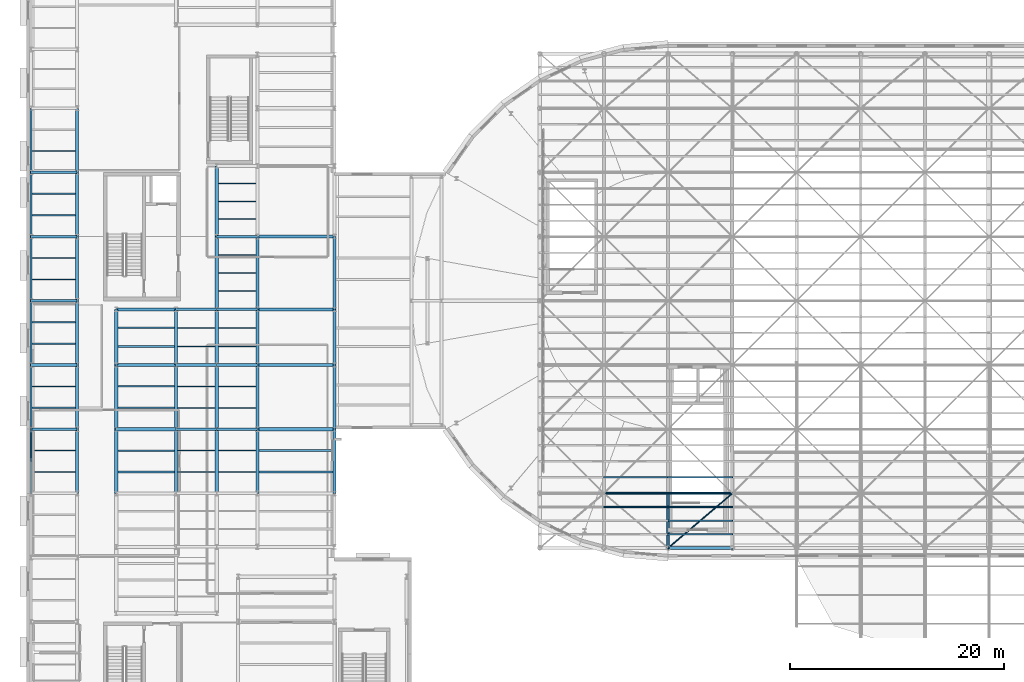
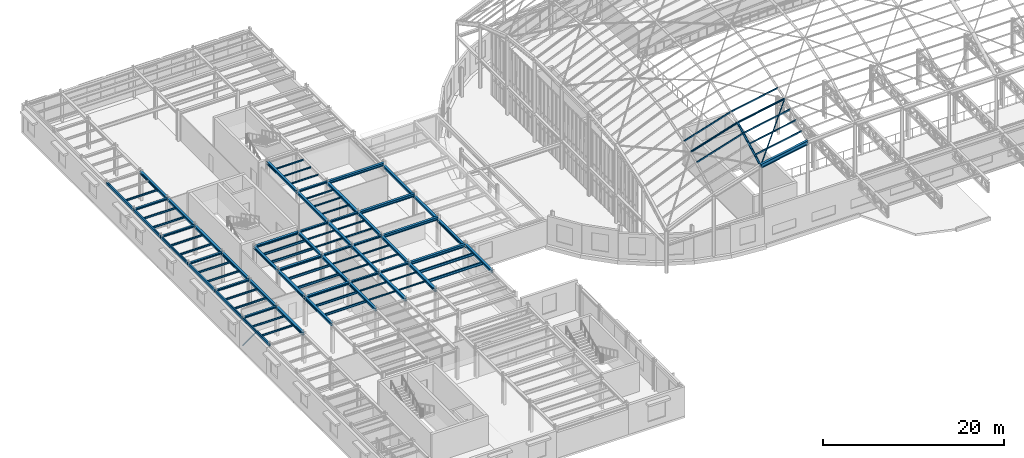
# One storey, part 17 of 75: 88 beams, 11 members.
"""IFC4 building model written with IfcOpenShell, lengths in metres."""

import ifcopenshell
import ifcopenshell.guid

model = None  # the IFC model being written
_history = None  # IfcOwnerHistory: only IFC2X3 demands one
_inside = {}  # id of a spatial element -> (the spatial element, [elements in it])
_under = {}  # id of a project, library or spatial element -> (it, [spatial elements below it])
_declared = {}  # id of a project -> (the project, [libraries it declares])
_typed = {}  # id of a type object -> (the type object, [elements of that type])
_made_of = {}  # id of a material, layer set ... -> (it, [elements and type objects made of it])


def new_model(schema):
    """Start an empty IFC model of exactly this schema.

    Asked for "IFC4X3", IfcOpenShell would pick the latest addendum, in which some entities
    have other attributes; the version numbers below select the first issue.
    IFC2X3 requires an IfcOwnerHistory on every rooted entity: one is made here for all.
    """
    global model, _history
    if schema == "IFC4X3":
        model = ifcopenshell.file(schema_version=(4, 3, 0, 0))
    else:
        model = ifcopenshell.file(schema=schema)
    _inside.clear()
    _under.clear()
    _declared.clear()
    _typed.clear()
    _made_of.clear()
    _history = None
    if model.schema == "IFC2X3":
        org = make("IfcOrganization", Name="unknown")
        user = make(
            "IfcPersonAndOrganization",
            ThePerson=make("IfcPerson", FamilyName="unknown"),
            TheOrganization=org,
        )
        app = make(
            "IfcApplication",
            ApplicationDeveloper=org,
            Version="unknown",
            ApplicationFullName="unknown",
            ApplicationIdentifier="unknown",
        )
        _history = make(
            "IfcOwnerHistory",
            OwningUser=user,
            OwningApplication=app,
            ChangeAction="ADDED",
            CreationDate=0,
        )
    return model


def make(cls, **values):
    """One entity of the class cls with the attributes given. An attribute that is None is left unset."""
    return model.create_entity(
        cls, **{name: value for name, value in values.items() if value is not None}
    )


def rooted(cls, **values):
    """An entity with a GlobalId (a new one), such as an element, a storey or a relation."""
    return make(cls, GlobalId=ifcopenshell.guid.new(), OwnerHistory=_history, **values)


def si_unit(unit_type, name, prefix=None):
    """IfcSIUnit, for example si_unit("LENGTHUNIT", "METRE", prefix="MILLI")."""
    return make("IfcSIUnit", UnitType=unit_type, Prefix=prefix, Name=name)


def assignment(units):
    """IfcUnitAssignment: the units of a project."""
    return None if units is None else make("IfcUnitAssignment", Units=units)


def point(xyz):
    """IfcCartesianPoint."""
    return None if xyz is None else make("IfcCartesianPoint", Coordinates=xyz)


def direction(xyz):
    """IfcDirection."""
    return None if xyz is None else make("IfcDirection", DirectionRatios=xyz)


def frame(location, z_axis=None, x_axis=None):
    """IfcAxis2Placement3D, a coordinate frame: its origin and axes. An axis left out is left unset."""
    return make(
        "IfcAxis2Placement3D",
        Location=point(location),
        Axis=direction(z_axis),
        RefDirection=direction(x_axis),
    )


def frame_2d(location, x_axis=None):
    """IfcAxis2Placement2D, a coordinate frame in the plane: its origin and x axis."""
    return make(
        "IfcAxis2Placement2D", Location=point(location), RefDirection=direction(x_axis)
    )


def origin():
    """The frame at (0, 0, 0) with its axes left unset."""
    return frame((0.0, 0.0, 0.0))


def origin_2d():
    """The frame at (0, 0) in the plane with its x axis left unset."""
    return frame_2d((0.0, 0.0))


def place(relative_to, where):
    """IfcLocalPlacement: puts the frame where relative to a parent placement (None: the world)."""
    return make(
        "IfcLocalPlacement", PlacementRelTo=relative_to, RelativePlacement=where
    )


def context(
    kind, dimensions, precision=None, world=None, true_north=None, identifier=None
):
    """IfcGeometricRepresentationContext, for example the 3D "Model" context."""
    return make(
        "IfcGeometricRepresentationContext",
        ContextIdentifier=identifier,
        ContextType=kind,
        CoordinateSpaceDimension=dimensions,
        Precision=precision,
        WorldCoordinateSystem=world,
        TrueNorth=true_north,
    )


def subcontext(parent, identifier, kind, view, scale=None):
    """IfcGeometricRepresentationSubContext, for example "Body" below "Model"."""
    return make(
        "IfcGeometricRepresentationSubContext",
        ContextIdentifier=identifier,
        ContextType=kind,
        ParentContext=parent,
        TargetScale=scale,
        TargetView=view,
    )


def project(units=None, contexts=None):
    """IfcProject with its units and contexts."""
    return rooted(
        "IfcProject",
        Name="project",
        RepresentationContexts=contexts,
        UnitsInContext=assignment(units),
    )


def spatial(cls, under=None, at=None, **own):
    """A site, building, storey or space (cls), placed at a placement, below another one or the project."""
    s = rooted(cls, ObjectPlacement=at, **own)
    if under is not None:
        _under.setdefault(under.id(), (under, []))[1].append(s)
    return s


def profile(cls, at=None, kind="AREA", **sizes):
    """A parametric profile (cls). Its sizes go by their IFC names, for example OverallWidth=200.0."""
    return make(cls, ProfileType=kind, Position=at, **sizes)


def hollow_rectangle(**sizes):
    """IfcRectangleHollowProfileDef."""
    return profile("IfcRectangleHollowProfileDef", **sizes)


def hollow_circle(**sizes):
    """IfcCircleHollowProfileDef."""
    return profile("IfcCircleHollowProfileDef", **sizes)


def i_section(**sizes):
    """IfcIShapeProfileDef."""
    return profile("IfcIShapeProfileDef", **sizes)


def extrude(swept, where, along, depth):
    """IfcExtrudedAreaSolid: the profile swept, set in the frame where, extruded along a direction by depth."""
    return make(
        "IfcExtrudedAreaSolid",
        SweptArea=swept,
        Position=where,
        ExtrudedDirection=direction(along),
        Depth=depth,
    )


def shape(context_of_items, identifier, shape_type, items):
    """IfcShapeRepresentation: the items that make up one representation, for example the "Body"."""
    return make(
        "IfcShapeRepresentation",
        ContextOfItems=context_of_items,
        RepresentationIdentifier=identifier,
        RepresentationType=shape_type,
        Items=items,
    )


def material(Name=None, Category=None):
    """IfcMaterial."""
    return make("IfcMaterial", Name=Name, Category=Category)


def material_profile(
    of_material, cross_section, Name=None, Category=None, Priority=None
):
    """IfcMaterialProfile: a cross section and its material."""
    return make(
        "IfcMaterialProfile",
        Name=Name,
        Material=of_material,
        Profile=cross_section,
        Priority=Priority,
        Category=Category,
    )


def profile_set(profiles, Name=None, composite=None):
    """IfcMaterialProfileSet."""
    return make(
        "IfcMaterialProfileSet",
        Name=Name,
        MaterialProfiles=profiles,
        CompositeProfile=composite,
    )


def made_of(thing, what):
    """Note that an element or type object is made of a material, layer set ...; save() writes the relation."""
    if what is not None:
        _made_of.setdefault(what.id(), (what, []))[1].append(thing)
    return thing


def type_object(cls, material=None, **own):
    """A type object (cls), such as IfcWallType, which elements share."""
    return made_of(rooted(cls, **own), material)


def element(
    cls,
    number,
    at=None,
    inside=None,
    cuts=None,
    type_object=None,
    material=None,
    context=None,
    identifier="Body",
    shape_type=None,
    held_by="IfcProductDefinitionShape",
    body=None,
    shapes=None,
    **own,
):
    """One element of the class cls, such as IfcWall. Its Tag is "e" and its number.

    at: its placement. inside: the storey or other place that contains it. cuts: it is an
    opening in that element (IfcRelVoidsElement). A single representation is given by context,
    identifier, shape_type and body (its items); several are given by shapes. held_by: the class
    of the entity that holds the representations. save() writes the other relations.
    """
    e = rooted(cls, Tag="e%d" % number, ObjectPlacement=at, **own)
    if body is not None:
        shapes = [shape(context, identifier, shape_type, body)]
    if shapes is not None:
        e.Representation = make(held_by, Representations=shapes)
    if inside is not None:
        _inside.setdefault(inside.id(), (inside, []))[1].append(e)
    if cuts is not None:
        rooted(
            "IfcRelVoidsElement", RelatingBuildingElement=cuts, RelatedOpeningElement=e
        )
    if type_object is not None:
        _typed.setdefault(type_object.id(), (type_object, []))[1].append(e)
    return made_of(e, material)


def aggregate(whole, parts):
    """IfcRelAggregates: a whole, such as a stair, and the parts it consists of."""
    return rooted("IfcRelAggregates", RelatingObject=whole, RelatedObjects=parts)


def save(model, path):
    """Write the relations noted so far, then the file.

    IfcRelAggregates (storeys below a building ...), IfcRelContainedInSpatialStructure (elements
    in a storey), IfcRelDefinesByType, IfcRelAssociatesMaterial and IfcRelDeclares: one each for
    every whole, place, type object, material and project.
    """
    for whole, parts in _under.values():
        aggregate(whole, parts)
    for where, things in _inside.values():
        rooted(
            "IfcRelContainedInSpatialStructure",
            RelatedElements=things,
            RelatingStructure=where,
        )
    for kind, things in _typed.values():
        rooted("IfcRelDefinesByType", RelatedObjects=things, RelatingType=kind)
    for what, things in _made_of.values():
        rooted("IfcRelAssociatesMaterial", RelatedObjects=things, RelatingMaterial=what)
    for by, libraries in _declared.values():
        rooted("IfcRelDeclares", RelatingContext=by, RelatedDefinitions=libraries)
    model.write(path)


model = new_model("IFC4")

# Units and contexts
model_context = context("Model", 3, precision=1e-05, world=origin(), true_north=direction((0.0, 1.0)))
body_context = subcontext(model_context, "Body", "Model", "MODEL_VIEW")
ifc_project = project(units=[si_unit("LENGTHUNIT", "METRE"), si_unit("AREAUNIT", "SQUARE_METRE"), si_unit("VOLUMEUNIT", "CUBIC_METRE"), si_unit("PLANEANGLEUNIT", "RADIAN"), si_unit("MASSUNIT", "GRAM", prefix="KILO")], contexts=[model_context])

# Site, building, storey
site_placement = place(None, origin())
site = spatial("IfcSite", under=ifc_project, at=site_placement, CompositionType="ELEMENT")
building_placement = place(site_placement, origin())
building = spatial("IfcBuilding", under=site, at=building_placement, Name="Kolvaren Corner Interchange", CompositionType="ELEMENT")
storey_placement = place(building_placement, frame((0.0, 0.0, 10.5)))
storey = spatial("IfcBuildingStorey", under=building, at=storey_placement, Name="L03", CompositionType="ELEMENT", Elevation=10.5)

# Beams
ifc_material_1 = material(Name="Steel S355", Category="steel")
ifc_material_profile_1 = material_profile(ifc_material_1, i_section(OverallWidth=0.239990234375, OverallDepth=0.22998046875, WebThickness=0.007568359375, FlangeThickness=0.011962890625, FilletRadius=0.02099609375, at=origin_2d()), Name="HEA 240")
ifc_profile_set_1 = profile_set([ifc_material_profile_1], Name="Steel S355")
beam_type_1 = type_object("IfcBeamType", Name="BM-HEA240", PredefinedType="BEAM", material=ifc_profile_set_1)
for number, where, z_axis, x_axis, name in (
    (1, (14.0, 36.0, 3.8349609375), (1.0, 0.0, 0.0), (0.0, 1.0, 0.0), "Storey L03 Grid X Primary Girder 0852"),
    (2, (17.800048828125, 36.0, 3.8349609375), (1.0, 0.0, 0.0), (0.0, 1.0, 0.0), "Storey L03 Grid X Primary Girder 0853"),
    (3, (14.0, 42.0, 3.8349609375), (1.0, 0.0, 0.0), (0.0, 1.0, 0.0), "Storey L03 Grid X Primary Girder 0857"),
    (4, (17.800048828125, 42.0, 3.8349609375), (1.0, 0.0, 0.0), (0.0, 1.0, 0.0), "Storey L03 Grid X Primary Girder 0858"),
    (5, (14.0, 47.199951171875, 3.8349609375), (1.0, 0.0, 0.0), (0.0, 1.0, 0.0), "Storey L03 Grid X Primary Girder 0861"),
    (6, (17.800048828125, 47.199951171875, 3.8349609375), (1.0, 0.0, 0.0), (0.0, 1.0, 0.0), "Storey L03 Grid X Primary Girder 0862"),
    (7, (17.800048828125, 54.0, 3.8349609375), (1.0, 0.0, 0.0), (0.0, 1.0, 0.0), "Storey L03 Grid X Primary Girder 0866"),
):
    element("IfcBeam", number, at=place(storey_placement, frame(where, z_axis=z_axis, x_axis=x_axis)), inside=storey, type_object=beam_type_1, Name=name, PredefinedType="BEAM", context=body_context, shape_type="SweptSolid", body=[
        extrude(i_section(OverallWidth=0.239990234375, OverallDepth=0.22998046875, WebThickness=0.007568359375, FlangeThickness=0.011962890625, FilletRadius=0.02099609375, at=origin_2d()), origin(), (0.0, 0.0, 1.0), 3.800048828125),
    ])
for number, where, z_axis, x_axis, name in (
    (8, (0.449951171875, 36.0, 3.8349609375), (1.0, 0.0, 0.0), (0.0, 1.0, 0.0), "Storey L03 Grid X Primary Girder 0953"),
    (9, (0.449951171875, 42.0, 3.8349609375), (1.0, 0.0, 0.0), (0.0, 1.0, 0.0), "Storey L03 Grid X Primary Girder 0954"),
    (10, (0.449951171875, 48.0, 3.8349609375), (1.0, 0.0, 0.0), (0.0, 1.0, 0.0), "Storey L03 Grid X Primary Girder 0955"),
    (11, (0.449951171875, 54.0, 3.8349609375), (1.0, 0.0, 0.0), (0.0, 1.0, 0.0), "Storey L03 Grid X Primary Girder 0956"),
    (12, (0.449951171875, 60.0, 3.8349609375), (1.0, 0.0, 0.0), (0.0, 1.0, 0.0), "Storey L03 Grid X Primary Girder 0957"),
):
    element("IfcBeam", number, at=place(storey_placement, frame(where, z_axis=z_axis, x_axis=x_axis)), inside=storey, type_object=beam_type_1, Name=name, PredefinedType="BEAM", context=body_context, shape_type="SweptSolid", body=[
        extrude(i_section(OverallWidth=0.239990234375, OverallDepth=0.22998046875, WebThickness=0.007568359375, FlangeThickness=0.011962890625, FilletRadius=0.02099609375, at=origin_2d()), origin(), (0.0, 0.0, 1.0), 4.300048828125),
    ])
ifc_material_2 = material(Name="Steel S355", Category="steel")
ifc_material_profile_2 = material_profile(ifc_material_2, i_section(OverallWidth=0.300048828125, OverallDepth=0.2900390625, WebThickness=0.008544921875, FlangeThickness=0.013916015625, FilletRadius=0.027099609375, at=origin_2d()), Name="HEA 300")
ifc_profile_set_2 = profile_set([ifc_material_profile_2], Name="Steel S355")
beam_type_2 = type_object("IfcBeamType", Name="BM-HEA300", PredefinedType="BEAM", material=ifc_profile_set_2)
for number, where, z_axis, x_axis, name in (
    (13, (8.39990234375, 36.0, 3.804931640625), (1.0, 0.0, 0.0), (0.0, 1.0, 0.0), "Storey L03 Grid X Primary Girder 0851"),
    (14, (8.39990234375, 42.0, 3.804931640625), (1.0, 0.0, 0.0), (0.0, 1.0, 0.0), "Storey L03 Grid X Primary Girder 0856"),
    (15, (8.39990234375, 47.199951171875, 3.804931640625), (1.0, 0.0, 0.0), (0.0, 1.0, 0.0), "Storey L03 Grid X Primary Girder 0860"),
):
    element("IfcBeam", number, at=place(storey_placement, frame(where, z_axis=z_axis, x_axis=x_axis)), inside=storey, type_object=beam_type_2, Name=name, PredefinedType="BEAM", context=body_context, shape_type="SweptSolid", body=[
        extrude(i_section(OverallWidth=0.300048828125, OverallDepth=0.2900390625, WebThickness=0.008544921875, FlangeThickness=0.013916015625, FilletRadius=0.027099609375, at=origin_2d()), origin(), (0.0, 0.0, 1.0), 5.60009765625),
    ])
ifc_material_3 = material(Name="Steel S355", Category="steel")
ifc_material_profile_3 = material_profile(ifc_material_3, i_section(OverallWidth=0.300048828125, OverallDepth=0.31005859375, WebThickness=0.009033203125, FlangeThickness=0.015380859375, FilletRadius=0.027099609375, at=origin_2d()), Name="HEA 320")
ifc_profile_set_3 = profile_set([ifc_material_profile_3], Name="Steel S355")
beam_type_3 = type_object("IfcBeamType", Name="BM-HEA320", PredefinedType="BEAM", material=ifc_profile_set_3)
for number, where, z_axis, x_axis, name in (
    (16, (8.39990234375, 42.0, 3.794921875), (0.0, 1.0, 0.0), (-1.0, 0.0, 0.0), "Storey L03 Grid Y Primary Girder 0891"),
    (17, (14.0, 42.0, 3.794921875), (0.0, 1.0, 0.0), (-1.0, 0.0, 0.0), "Storey L03 Grid Y Primary Girder 0896"),
    (18, (17.800048828125, 42.0, 3.794921875), (0.0, 1.0, 0.0), (-1.0, 0.0, 0.0), "Storey L03 Grid Y Primary Girder 0901"),
    (19, (21.60009765625, 42.0, 3.77490234375), (0.0, 1.0, 0.0), (-1.0, 0.0, 0.0), "Storey L03 Grid Y Primary Girder 0907"),
    (20, (28.800048828125, 42.0, 3.445068359375), (0.0, 1.0, 0.0), (-1.0, 0.0, 0.0), "Storey L03 Grid Y Primary Girder 0915"),
):
    element("IfcBeam", number, at=place(storey_placement, frame(where, z_axis=z_axis, x_axis=x_axis)), inside=storey, type_object=beam_type_3, Name=name, PredefinedType="BEAM", context=body_context, shape_type="SweptSolid", body=[
        extrude(i_section(OverallWidth=0.300048828125, OverallDepth=0.31005859375, WebThickness=0.009033203125, FlangeThickness=0.015380859375, FilletRadius=0.027099609375, at=origin_2d()), origin(), (0.0, 0.0, 1.0), 5.199951171875),
    ])
ifc_material_4 = material(Name="Steel S355", Category="steel")
ifc_material_profile_4 = material_profile(ifc_material_4, i_section(OverallWidth=0.300048828125, OverallDepth=0.35009765625, WebThickness=0.010009765625, FlangeThickness=0.017578125, FilletRadius=0.027099609375, at=origin_2d()), Name="HEA 360")
ifc_profile_set_4 = profile_set([ifc_material_profile_4], Name="Steel S355")
beam_type_4 = type_object("IfcBeamType", Name="BM-HEA360", PredefinedType="BEAM", material=ifc_profile_set_4)
for number, where, z_axis, x_axis, name in (
    (21, (8.39990234375, 30.0, 3.77490234375), (0.0, 1.0, 0.0), (-1.0, 0.0, 0.0), "Storey L03 Grid Y Primary Girder 0889"),
    (22, (8.39990234375, 36.0, 3.77490234375), (0.0, 1.0, 0.0), (-1.0, 0.0, 0.0), "Storey L03 Grid Y Primary Girder 0890"),
    (23, (14.0, 30.0, 3.77490234375), (0.0, 1.0, 0.0), (-1.0, 0.0, 0.0), "Storey L03 Grid Y Primary Girder 0894"),
    (24, (14.0, 36.0, 3.77490234375), (0.0, 1.0, 0.0), (-1.0, 0.0, 0.0), "Storey L03 Grid Y Primary Girder 0895"),
    (25, (17.800048828125, 30.0, 3.77490234375), (0.0, 1.0, 0.0), (-1.0, 0.0, 0.0), "Storey L03 Grid Y Primary Girder 0899"),
    (26, (17.800048828125, 36.0, 3.77490234375), (0.0, 1.0, 0.0), (-1.0, 0.0, 0.0), "Storey L03 Grid Y Primary Girder 0900"),
):
    element("IfcBeam", number, at=place(storey_placement, frame(where, z_axis=z_axis, x_axis=x_axis)), inside=storey, type_object=beam_type_4, Name=name, PredefinedType="BEAM", context=body_context, shape_type="SweptSolid", body=[
        extrude(i_section(OverallWidth=0.300048828125, OverallDepth=0.35009765625, WebThickness=0.010009765625, FlangeThickness=0.017578125, FilletRadius=0.027099609375, at=origin_2d()), origin(), (0.0, 0.0, 1.0), 6.0),
    ])
beam_1_placement = place(storey_placement, frame((17.800048828125, 47.199951171875, 3.77490234375), z_axis=(0.0, 1.0, 0.0), x_axis=(-1.0, 0.0, 0.0)))
element("IfcBeam", 27, at=beam_1_placement, inside=storey, type_object=beam_type_4, Name="Storey L03 Grid Y Primary Girder 0902", PredefinedType="BEAM", context=body_context, shape_type="SweptSolid", body=[
    extrude(i_section(OverallWidth=0.300048828125, OverallDepth=0.35009765625, WebThickness=0.010009765625, FlangeThickness=0.017578125, FilletRadius=0.027099609375, at=origin_2d()), origin(), (0.0, 0.0, 1.0), 6.800048828125),
])
beam_2_placement = place(storey_placement, frame((17.800048828125, 54.0, 3.77490234375), z_axis=(0.0, 1.0, 0.0), x_axis=(-1.0, 0.0, 0.0)))
element("IfcBeam", 28, at=beam_2_placement, inside=storey, type_object=beam_type_4, Name="Storey L03 Grid Y Primary Girder 0903", PredefinedType="BEAM", context=body_context, shape_type="SweptSolid", body=[
    extrude(i_section(OverallWidth=0.300048828125, OverallDepth=0.35009765625, WebThickness=0.010009765625, FlangeThickness=0.017578125, FilletRadius=0.027099609375, at=origin_2d()), origin(), (0.0, 0.0, 1.0), 6.60009765625),
])
for number, where, z_axis, x_axis, name in (
    (29, (21.60009765625, 30.0, 3.7548828125), (0.0, 1.0, 0.0), (-1.0, 0.0, 0.0), "Storey L03 Grid Y Primary Girder 0905"),
    (30, (21.60009765625, 36.0, 3.7548828125), (0.0, 1.0, 0.0), (-1.0, 0.0, 0.0), "Storey L03 Grid Y Primary Girder 0906"),
):
    element("IfcBeam", number, at=place(storey_placement, frame(where, z_axis=z_axis, x_axis=x_axis)), inside=storey, type_object=beam_type_4, Name=name, PredefinedType="BEAM", context=body_context, shape_type="SweptSolid", body=[
        extrude(i_section(OverallWidth=0.300048828125, OverallDepth=0.35009765625, WebThickness=0.010009765625, FlangeThickness=0.017578125, FilletRadius=0.027099609375, at=origin_2d()), origin(), (0.0, 0.0, 1.0), 6.0),
    ])
beam_3_placement = place(storey_placement, frame((21.60009765625, 47.199951171875, 3.7548828125), z_axis=(0.0, 1.0, 0.0), x_axis=(-1.0, 0.0, 0.0)))
element("IfcBeam", 31, at=beam_3_placement, inside=storey, type_object=beam_type_4, Name="Storey L03 Grid Y Primary Girder 0908", PredefinedType="BEAM", context=body_context, shape_type="SweptSolid", body=[
    extrude(i_section(OverallWidth=0.300048828125, OverallDepth=0.35009765625, WebThickness=0.010009765625, FlangeThickness=0.017578125, FilletRadius=0.027099609375, at=origin_2d()), origin(), (0.0, 0.0, 1.0), 6.800048828125),
])
for number, where, z_axis, x_axis, name in (
    (32, (28.800048828125, 30.0, 3.7548828125), (0.0, 1.0, 0.0), (-1.0, 0.0, 0.0), "Storey L03 Grid Y Primary Girder 0913"),
    (33, (28.800048828125, 36.0, 3.425048828125), (0.0, 1.0, 0.0), (-1.0, 0.0, 0.0), "Storey L03 Grid Y Primary Girder 0914"),
):
    element("IfcBeam", number, at=place(storey_placement, frame(where, z_axis=z_axis, x_axis=x_axis)), inside=storey, type_object=beam_type_4, Name=name, PredefinedType="BEAM", context=body_context, shape_type="SweptSolid", body=[
        extrude(i_section(OverallWidth=0.300048828125, OverallDepth=0.35009765625, WebThickness=0.010009765625, FlangeThickness=0.017578125, FilletRadius=0.027099609375, at=origin_2d()), origin(), (0.0, 0.0, 1.0), 6.0),
    ])
beam_4_placement = place(storey_placement, frame((28.800048828125, 47.199951171875, 3.425048828125), z_axis=(0.0, 1.0, 0.0), x_axis=(-1.0, 0.0, 0.0)))
element("IfcBeam", 34, at=beam_4_placement, inside=storey, type_object=beam_type_4, Name="Storey L03 Grid Y Primary Girder 0916", PredefinedType="BEAM", context=body_context, shape_type="SweptSolid", body=[
    extrude(i_section(OverallWidth=0.300048828125, OverallDepth=0.35009765625, WebThickness=0.010009765625, FlangeThickness=0.017578125, FilletRadius=0.027099609375, at=origin_2d()), origin(), (0.0, 0.0, 1.0), 6.800048828125),
])
for number, where, z_axis, x_axis, name in (
    (35, (4.75, 30.0, 3.77490234375), (0.0, 1.0, 0.0), (-1.0, 0.0, 0.0), "Storey L03 Grid Y Primary Girder 0993"),
    (36, (4.75, 36.0, 3.77490234375), (0.0, 1.0, 0.0), (-1.0, 0.0, 0.0), "Storey L03 Grid Y Primary Girder 0994"),
    (37, (4.75, 42.0, 3.77490234375), (0.0, 1.0, 0.0), (-1.0, 0.0, 0.0), "Storey L03 Grid Y Primary Girder 0995"),
    (38, (4.75, 48.0, 3.77490234375), (0.0, 1.0, 0.0), (-1.0, 0.0, 0.0), "Storey L03 Grid Y Primary Girder 0996"),
    (39, (4.75, 54.0, 3.77490234375), (0.0, 1.0, 0.0), (-1.0, 0.0, 0.0), "Storey L03 Grid Y Primary Girder 0997"),
    (40, (4.75, 60.0, 3.77490234375), (0.0, 1.0, 0.0), (-1.0, 0.0, 0.0), "Storey L03 Grid Y Primary Girder 0998"),
):
    element("IfcBeam", number, at=place(storey_placement, frame(where, z_axis=z_axis, x_axis=x_axis)), inside=storey, type_object=beam_type_4, Name=name, PredefinedType="BEAM", context=body_context, shape_type="SweptSolid", body=[
        extrude(i_section(OverallWidth=0.300048828125, OverallDepth=0.35009765625, WebThickness=0.010009765625, FlangeThickness=0.017578125, FilletRadius=0.027099609375, at=origin_2d()), origin(), (0.0, 0.0, 1.0), 6.0),
    ])
ifc_material_5 = material(Name="Steel S355", Category="steel")
ifc_material_profile_5 = material_profile(ifc_material_5, i_section(OverallWidth=0.300048828125, OverallDepth=0.389892578125, WebThickness=0.010986328125, FlangeThickness=0.01904296875, FilletRadius=0.027099609375, at=origin_2d()), Name="HEA 400")
ifc_profile_set_5 = profile_set([ifc_material_profile_5], Name="Steel S355")
beam_type_5 = type_object("IfcBeamType", Name="BM-HEA400", PredefinedType="BEAM", material=ifc_profile_set_5)
for number, where, z_axis, x_axis, name in (
    (41, (21.60009765625, 36.0, 3.735107421875), (1.0, 0.0, 0.0), (0.0, 1.0, 0.0), "Storey L03 Grid X Primary Girder 0854"),
    (42, (21.60009765625, 42.0, 3.735107421875), (1.0, 0.0, 0.0), (0.0, 1.0, 0.0), "Storey L03 Grid X Primary Girder 0859"),
    (43, (21.60009765625, 47.199951171875, 3.735107421875), (1.0, 0.0, 0.0), (0.0, 1.0, 0.0), "Storey L03 Grid X Primary Girder 0863"),
    (44, (21.60009765625, 54.0, 3.735107421875), (1.0, 0.0, 0.0), (0.0, 1.0, 0.0), "Storey L03 Grid X Primary Girder 0867"),
):
    element("IfcBeam", number, at=place(storey_placement, frame(where, z_axis=z_axis, x_axis=x_axis)), inside=storey, type_object=beam_type_5, Name=name, PredefinedType="BEAM", context=body_context, shape_type="SweptSolid", body=[
        extrude(i_section(OverallWidth=0.300048828125, OverallDepth=0.389892578125, WebThickness=0.010986328125, FlangeThickness=0.01904296875, FilletRadius=0.027099609375, at=origin_2d()), origin(), (0.0, 0.0, 1.0), 7.199951171875),
    ])
ifc_material_6 = material(Name="Steel S355", Category="steel")
ifc_material_profile_6 = material_profile(ifc_material_6, i_section(OverallWidth=0.300048828125, OverallDepth=0.5400390625, WebThickness=0.012451171875, FlangeThickness=0.02392578125, FilletRadius=0.027099609375, at=origin_2d()), Name="HEA 550")
ifc_profile_set_6 = profile_set([ifc_material_profile_6], Name="Steel S355")
beam_type_6 = type_object("IfcBeamType", Name="BM-HEA550", PredefinedType="BEAM", material=ifc_profile_set_6)
beam_5_placement = place(storey_placement, frame((60.0, 24.89990234375, 10.1650390625), z_axis=(0.982872186934, 0.0, 0.18428853505), x_axis=(0.0, 1.0, 0.0)))
element("IfcBeam", 45, at=beam_5_placement, inside=storey, type_object=beam_type_6, Name="Concourse Translational Gridshell Eaves Ring Beam 003", PredefinedType="BEAM", context=body_context, shape_type="SweptSolid", body=[
    extrude(i_section(OverallWidth=0.300048828125, OverallDepth=0.5400390625, WebThickness=0.012451171875, FlangeThickness=0.02392578125, FilletRadius=0.027099609375, at=origin_2d()), origin(), (0.0, 0.0, 1.0), 6.1044921875),
])
ifc_material_7 = material(Name="Steel S355", Category="steel")
ifc_material_profile_7 = material_profile(ifc_material_7, i_section(OverallWidth=0.10009765625, OverallDepth=0.199951171875, WebThickness=0.005615234375, FlangeThickness=0.008544921875, FilletRadius=0.011962890625, at=origin_2d()), Name="IPE 200")
ifc_profile_set_7 = profile_set([ifc_material_profile_7], Name="Steel S355")
beam_type_7 = type_object("IfcBeamType", Name="JS-IPE200", PredefinedType="JOIST", material=ifc_profile_set_7)
for number, where, z_axis, x_axis, name in (
    (46, (14.14990234375, 32.0, 3.85009765625), (1.0, 0.0, 0.0), (0.0, 1.0, 0.0), "Storey L03 Composite Floor Joist 0795"),
    (47, (14.14990234375, 34.0, 3.85009765625), (1.0, 0.0, 0.0), (0.0, 1.0, 0.0), "Storey L03 Composite Floor Joist 0796"),
    (48, (14.14990234375, 38.0, 3.85009765625), (1.0, 0.0, 0.0), (0.0, 1.0, 0.0), "Storey L03 Composite Floor Joist 0797"),
    (49, (14.14990234375, 40.0, 3.85009765625), (1.0, 0.0, 0.0), (0.0, 1.0, 0.0), "Storey L03 Composite Floor Joist 0798"),
    (50, (14.14990234375, 43.7333984375, 3.85009765625), (1.0, 0.0, 0.0), (0.0, 1.0, 0.0), "Storey L03 Composite Floor Joist 0799"),
    (51, (14.14990234375, 45.466796875, 3.85009765625), (1.0, 0.0, 0.0), (0.0, 1.0, 0.0), "Storey L03 Composite Floor Joist 0800"),
    (52, (17.949951171875, 32.0, 3.85009765625), (1.0, 0.0, 0.0), (0.0, 1.0, 0.0), "Storey L03 Composite Floor Joist 0803"),
    (53, (17.949951171875, 34.0, 3.85009765625), (1.0, 0.0, 0.0), (0.0, 1.0, 0.0), "Storey L03 Composite Floor Joist 0804"),
    (54, (17.949951171875, 38.0, 3.85009765625), (1.0, 0.0, 0.0), (0.0, 1.0, 0.0), "Storey L03 Composite Floor Joist 0805"),
    (55, (17.949951171875, 40.0, 3.85009765625), (1.0, 0.0, 0.0), (0.0, 1.0, 0.0), "Storey L03 Composite Floor Joist 0806"),
    (56, (17.949951171875, 43.7333984375, 3.85009765625), (1.0, 0.0, 0.0), (0.0, 1.0, 0.0), "Storey L03 Composite Floor Joist 0807"),
    (57, (17.949951171875, 45.466796875, 3.85009765625), (1.0, 0.0, 0.0), (0.0, 1.0, 0.0), "Storey L03 Composite Floor Joist 0808"),
    (58, (17.949951171875, 48.89990234375, 3.85009765625), (1.0, 0.0, 0.0), (0.0, 1.0, 0.0), "Storey L03 Composite Floor Joist 0809"),
    (59, (17.949951171875, 50.60009765625, 3.85009765625), (1.0, 0.0, 0.0), (0.0, 1.0, 0.0), "Storey L03 Composite Floor Joist 0810"),
    (60, (17.949951171875, 52.300048828125, 3.85009765625), (1.0, 0.0, 0.0), (0.0, 1.0, 0.0), "Storey L03 Composite Floor Joist 0811"),
    (61, (17.949951171875, 55.64990234375, 3.85009765625), (1.0, 0.0, 0.0), (0.0, 1.0, 0.0), "Storey L03 Composite Floor Joist 0812"),
    (62, (17.949951171875, 57.300048828125, 3.85009765625), (1.0, 0.0, 0.0), (0.0, 1.0, 0.0), "Storey L03 Composite Floor Joist 0813"),
    (63, (17.949951171875, 58.949951171875, 3.85009765625), (1.0, 0.0, 0.0), (0.0, 1.0, 0.0), "Storey L03 Composite Floor Joist 0814"),
):
    element("IfcBeam", number, at=place(storey_placement, frame(where, z_axis=z_axis, x_axis=x_axis)), inside=storey, type_object=beam_type_7, Name=name, PredefinedType="JOIST", context=body_context, shape_type="SweptSolid", body=[
        extrude(i_section(OverallWidth=0.10009765625, OverallDepth=0.199951171875, WebThickness=0.005615234375, FlangeThickness=0.008544921875, FilletRadius=0.011962890625, at=origin_2d()), origin(), (0.0, 0.0, 1.0), 3.5),
    ])
ifc_material_8 = material(Name="Steel S355", Category="steel")
ifc_material_profile_8 = material_profile(ifc_material_8, i_section(OverallWidth=0.1201171875, OverallDepth=0.239990234375, WebThickness=0.006103515625, FlangeThickness=0.009765625, FilletRadius=0.014892578125, at=origin_2d()), Name="IPE 240")
ifc_profile_set_8 = profile_set([ifc_material_profile_8], Name="Steel S355")
beam_type_8 = type_object("IfcBeamType", Name="JS-IPE240", PredefinedType="JOIST", material=ifc_profile_set_8)
for number, where, z_axis, x_axis, name in (
    (64, (0.550048828125, 32.0, 3.830078125), (1.0, 0.0, 0.0), (0.0, 1.0, 0.0), "Storey L03 Composite Floor Joist 0843"),
    (65, (0.550048828125, 34.0, 3.830078125), (1.0, 0.0, 0.0), (0.0, 1.0, 0.0), "Storey L03 Composite Floor Joist 0844"),
    (66, (0.550048828125, 38.0, 3.830078125), (1.0, 0.0, 0.0), (0.0, 1.0, 0.0), "Storey L03 Composite Floor Joist 0845"),
    (67, (0.550048828125, 40.0, 3.830078125), (1.0, 0.0, 0.0), (0.0, 1.0, 0.0), "Storey L03 Composite Floor Joist 0846"),
    (68, (0.550048828125, 44.0, 3.830078125), (1.0, 0.0, 0.0), (0.0, 1.0, 0.0), "Storey L03 Composite Floor Joist 0847"),
    (69, (0.550048828125, 46.0, 3.830078125), (1.0, 0.0, 0.0), (0.0, 1.0, 0.0), "Storey L03 Composite Floor Joist 0848"),
    (70, (0.550048828125, 50.0, 3.830078125), (1.0, 0.0, 0.0), (0.0, 1.0, 0.0), "Storey L03 Composite Floor Joist 0849"),
    (71, (0.550048828125, 52.0, 3.830078125), (1.0, 0.0, 0.0), (0.0, 1.0, 0.0), "Storey L03 Composite Floor Joist 0850"),
    (72, (0.550048828125, 56.0, 3.830078125), (1.0, 0.0, 0.0), (0.0, 1.0, 0.0), "Storey L03 Composite Floor Joist 0851"),
    (73, (0.550048828125, 58.0, 3.830078125), (1.0, 0.0, 0.0), (0.0, 1.0, 0.0), "Storey L03 Composite Floor Joist 0852"),
    (74, (0.550048828125, 62.0, 3.830078125), (1.0, 0.0, 0.0), (0.0, 1.0, 0.0), "Storey L03 Composite Floor Joist 0853"),
):
    element("IfcBeam", number, at=place(storey_placement, frame(where, z_axis=z_axis, x_axis=x_axis)), inside=storey, type_object=beam_type_8, Name=name, PredefinedType="JOIST", context=body_context, shape_type="SweptSolid", body=[
        extrude(i_section(OverallWidth=0.1201171875, OverallDepth=0.239990234375, WebThickness=0.006103515625, FlangeThickness=0.009765625, FilletRadius=0.014892578125, at=origin_2d()), origin(), (0.0, 0.0, 1.0), 4.050048828125),
    ])
ifc_material_9 = material(Name="Steel S355", Category="steel")
ifc_material_profile_9 = material_profile(ifc_material_9, i_section(OverallWidth=0.14990234375, OverallDepth=0.300048828125, WebThickness=0.007080078125, FlangeThickness=0.0107421875, FilletRadius=0.014892578125, at=origin_2d()), Name="IPE 300")
ifc_profile_set_9 = profile_set([ifc_material_profile_9], Name="Steel S355")
beam_type_9 = type_object("IfcBeamType", Name="JS-IPE300", PredefinedType="JOIST", material=ifc_profile_set_9)
for number, where, z_axis, x_axis, name in (
    (75, (8.550048828125, 32.0, 3.800048828125), (1.0, 0.0, 0.0), (0.0, 1.0, 0.0), "Storey L03 Composite Floor Joist 0784"),
    (76, (8.550048828125, 34.0, 3.800048828125), (1.0, 0.0, 0.0), (0.0, 1.0, 0.0), "Storey L03 Composite Floor Joist 0785"),
    (77, (8.550048828125, 38.0, 3.800048828125), (1.0, 0.0, 0.0), (0.0, 1.0, 0.0), "Storey L03 Composite Floor Joist 0786"),
    (78, (8.550048828125, 40.0, 3.800048828125), (1.0, 0.0, 0.0), (0.0, 1.0, 0.0), "Storey L03 Composite Floor Joist 0787"),
    (79, (8.550048828125, 43.7333984375, 3.800048828125), (1.0, 0.0, 0.0), (0.0, 1.0, 0.0), "Storey L03 Composite Floor Joist 0788"),
    (80, (8.550048828125, 45.466796875, 3.800048828125), (1.0, 0.0, 0.0), (0.0, 1.0, 0.0), "Storey L03 Composite Floor Joist 0789"),
):
    element("IfcBeam", number, at=place(storey_placement, frame(where, z_axis=z_axis, x_axis=x_axis)), inside=storey, type_object=beam_type_9, Name=name, PredefinedType="JOIST", context=body_context, shape_type="SweptSolid", body=[
        extrude(i_section(OverallWidth=0.14990234375, OverallDepth=0.300048828125, WebThickness=0.007080078125, FlangeThickness=0.0107421875, FilletRadius=0.014892578125, at=origin_2d()), origin(), (0.0, 0.0, 1.0), 5.300048828125),
    ])
ifc_material_10 = material(Name="Steel S355", Category="steel")
ifc_material_profile_10 = material_profile(ifc_material_10, i_section(OverallWidth=0.169921875, OverallDepth=0.360107421875, WebThickness=0.008056640625, FlangeThickness=0.0126953125, FilletRadius=0.01806640625, at=origin_2d()), Name="IPE 360")
ifc_profile_set_10 = profile_set([ifc_material_profile_10], Name="Steel S355")
beam_type_10 = type_object("IfcBeamType", Name="JS-IPE360", PredefinedType="JOIST", material=ifc_profile_set_10)
for number, where, z_axis, x_axis, name in (
    (81, (21.75, 32.0, 3.75), (1.0, 0.0, 0.0), (0.0, 1.0, 0.0), "Storey L03 Composite Floor Joist 0817"),
    (82, (21.75, 34.0, 3.75), (1.0, 0.0, 0.0), (0.0, 1.0, 0.0), "Storey L03 Composite Floor Joist 0818"),
):
    element("IfcBeam", number, at=place(storey_placement, frame(where, z_axis=z_axis, x_axis=x_axis)), inside=storey, type_object=beam_type_10, Name=name, PredefinedType="JOIST", context=body_context, shape_type="SweptSolid", body=[
        extrude(i_section(OverallWidth=0.169921875, OverallDepth=0.360107421875, WebThickness=0.008056640625, FlangeThickness=0.0126953125, FilletRadius=0.01806640625, at=origin_2d()), origin(), (0.0, 0.0, 1.0), 6.89990234375),
    ])

# Members
ifc_material_11 = material(Name="Steel S355", Category="steel")
ifc_material_profile_11 = material_profile(ifc_material_11, hollow_circle(Radius=0.06982421875, WallThickness=0.008056640625, at=origin_2d()), Name="CHS 139.7x8.0")
ifc_profile_set_11 = profile_set([ifc_material_profile_11], Name="Steel S355")
member_type_1 = type_object("IfcMemberType", Name="MEM-BR-CHS140", PredefinedType="BRACE", material=ifc_profile_set_11)
member_1_placement = place(storey_placement, frame((60.0, 24.89990234375, 10.1650390625), z_axis=(0.683712456602, 0.581166716244, 0.44134173224), x_axis=(-0.647655619635, 0.761933198092, 0.0)))
element("IfcMember", 83, at=member_1_placement, inside=storey, type_object=member_type_1, Name="Concourse Translational Gridshell Nodal Diagonal Brace 0017", PredefinedType="BRACE", context=body_context, shape_type="SweptSolid", body=[
    extrude(hollow_circle(Radius=0.06982421875, WallThickness=0.008056640625, at=origin_2d()), origin(), (0.0, 0.0, 1.0), 8.775634765625),
])
ifc_material_12 = material(Name="Steel S355", Category="steel")
ifc_material_profile_12 = material_profile(ifc_material_12, hollow_circle(Radius=0.084228515625, WallThickness=0.008056640625, at=origin_2d()), Name="CHS 168.3x8.0")
ifc_profile_set_12 = profile_set([ifc_material_profile_12], Name="Steel S355")
member_type_2 = type_object("IfcMemberType", Name="MEM-BR-CHS168", PredefinedType="BRACE", material=ifc_profile_set_12)
member_2_placement = place(storey_placement, frame((0.449951171875, 36.0, 0.1201171875), z_axis=(0.0, -0.634468516622, 0.772948705553), x_axis=(1.0, 0.0, 0.0)))
element("IfcMember", 84, at=member_2_placement, inside=storey, type_object=member_type_2, Name="Storey L03 Lateral Chevron Steel Brace 08 Right", PredefinedType="BRACE", context=body_context, shape_type="SweptSolid", body=[
    extrude(hollow_circle(Radius=0.084228515625, WallThickness=0.008056640625, at=origin_2d()), origin(), (0.0, 0.0, 1.0), 4.728271484375),
])
ifc_material_13 = material(Name="Steel S355", Category="steel")
ifc_material_profile_13 = material_profile(ifc_material_13, hollow_circle(Radius=0.122314453125, WallThickness=0.012451171875, at=origin_2d()), Name="CHS 244.5x12.5")
ifc_profile_set_13 = profile_set([ifc_material_profile_13], Name="Steel S355")
member_type_3 = type_object("IfcMemberType", Name="MEM-CH-CHS245", PredefinedType="CHORD", material=ifc_profile_set_13)
member_3_placement = place(storey_placement, frame((54.0, 30.0, 11.0380859375), z_axis=(0.954479978035, 0.0, 0.298274993136), x_axis=(0.0, 1.0, 0.0)))
element("IfcMember", 85, at=member_3_placement, inside=storey, type_object=member_type_3, Name="Concourse Translational Gridshell Longitudinal Arch Chord 0106", PredefinedType="CHORD", context=body_context, shape_type="SweptSolid", body=[
    extrude(hollow_circle(Radius=0.122314453125, WallThickness=0.012451171875, at=origin_2d()), origin(), (0.0, 0.0, 1.0), 6.2861328125),
])
member_4_placement = place(storey_placement, frame((60.0, 30.0, 12.9130859375), z_axis=(0.982872186934, 0.0, 0.18428853505), x_axis=(0.0, 1.0, 0.0)))
element("IfcMember", 86, at=member_4_placement, inside=storey, type_object=member_type_3, Name="Concourse Translational Gridshell Longitudinal Arch Chord 0107", PredefinedType="CHORD", context=body_context, shape_type="SweptSolid", body=[
    extrude(hollow_circle(Radius=0.122314453125, WallThickness=0.012451171875, at=origin_2d()), origin(), (0.0, 0.0, 1.0), 6.1044921875),
])
ifc_material_14 = material(Name="Steel S355", Category="steel")
ifc_material_profile_14 = material_profile(ifc_material_14, hollow_circle(Radius=0.136474609375, WallThickness=0.012451171875, at=origin_2d()), Name="CHS 273.0x12.5")
ifc_profile_set_14 = profile_set([ifc_material_profile_14], Name="Steel S355")
member_type_4 = type_object("IfcMemberType", Name="MEM-CH-CHS273", PredefinedType="CHORD", material=ifc_profile_set_14)
member_5_placement = place(storey_placement, frame((60.0, 24.89990234375, 10.1650390625), z_axis=(0.0, 0.880338454691, 0.474346081666), x_axis=(-1.0, 0.0, 0.0)))
element("IfcMember", 87, at=member_5_placement, inside=storey, type_object=member_type_4, Name="Concourse Translational Gridshell Transverse Arch Chord 0009", PredefinedType="CHORD", context=body_context, shape_type="SweptSolid", body=[
    extrude(hollow_circle(Radius=0.136474609375, WallThickness=0.012451171875, at=origin_2d()), origin(), (0.0, 0.0, 1.0), 5.79345703125),
])
ifc_material_15 = material(Name="Steel S355", Category="steel")
ifc_material_profile_15 = material_profile(ifc_material_15, hollow_rectangle(XDim=0.10009765625, YDim=0.179931640625, WallThickness=0.008056640625, InnerFilletRadius=0.008056640625, OuterFilletRadius=0.01611328125, at=origin_2d()), Name="RHS 180x100x8.0")
ifc_profile_set_15 = profile_set([ifc_material_profile_15], Name="Steel S355")
member_type_5 = type_object("IfcMemberType", Name="MEM-PR-RHS180", PredefinedType="PURLIN", material=ifc_profile_set_15)
member_6_placement = place(storey_placement, frame((60.0, 27.449951171875, 11.5869140625), z_axis=(0.982872186934, 0.0, 0.18428853505), x_axis=(0.0, 1.0, 0.0)))
element("IfcMember", 88, at=member_6_placement, inside=storey, type_object=member_type_5, Name="Concourse Translational Gridshell Glazing Purlin 0017 Row 2", PredefinedType="PURLIN", context=body_context, shape_type="SweptSolid", body=[
    extrude(hollow_rectangle(XDim=0.10009765625, YDim=0.179931640625, WallThickness=0.008056640625, InnerFilletRadius=0.008056640625, OuterFilletRadius=0.01611328125, at=origin_2d()), origin(), (0.0, 0.0, 1.0), 6.1044921875),
])
ifc_material_16 = material(Name="Steel S355", Category="steel")
ifc_material_profile_16 = material_profile(ifc_material_16, hollow_rectangle(XDim=0.10009765625, YDim=0.199951171875, WallThickness=0.008056640625, InnerFilletRadius=0.008056640625, OuterFilletRadius=0.01611328125, at=origin_2d()), Name="RHS 200x100x8.0")
ifc_profile_set_16 = profile_set([ifc_material_profile_16], Name="Steel S355")
member_type_6 = type_object("IfcMemberType", Name="MEM-PR-RHS200", PredefinedType="PURLIN", material=ifc_profile_set_16)
for number, where, z_axis, x_axis, name in (
    (89, (54.0, 28.72509765625, 10.388916015625), (0.954479978035, 0.0, 0.298274993136), (0.0, 1.0, 0.0), "Concourse Translational Gridshell Glazing Purlin 0009 Row 3"),
    (90, (54.0, 31.5, 11.575927734375), (0.954479978035, 0.0, 0.298274993136), (0.0, 1.0, 0.0), "Concourse Translational Gridshell Glazing Purlin 0010 Row 1"),
):
    element("IfcMember", number, at=place(storey_placement, frame(where, z_axis=z_axis, x_axis=x_axis)), inside=storey, type_object=member_type_6, Name=name, PredefinedType="PURLIN", context=body_context, shape_type="SweptSolid", body=[
        extrude(hollow_rectangle(XDim=0.10009765625, YDim=0.199951171875, WallThickness=0.008056640625, InnerFilletRadius=0.008056640625, OuterFilletRadius=0.01611328125, at=origin_2d()), origin(), (0.0, 0.0, 1.0), 6.2861328125),
    ])
for number, where, z_axis, x_axis, name in (
    (91, (60.0, 26.175048828125, 10.889892578125), (0.982872186934, 0.0, 0.18428853505), (0.0, 1.0, 0.0), "Concourse Translational Gridshell Glazing Purlin 0017 Row 1"),
    (92, (60.0, 28.72509765625, 12.263916015625), (0.982872186934, 0.0, 0.18428853505), (0.0, 1.0, 0.0), "Concourse Translational Gridshell Glazing Purlin 0017 Row 3"),
    (93, (60.0, 31.5, 13.450927734375), (0.982872186934, 0.0, 0.18428853505), (0.0, 1.0, 0.0), "Concourse Translational Gridshell Glazing Purlin 0018 Row 1"),
):
    element("IfcMember", number, at=place(storey_placement, frame(where, z_axis=z_axis, x_axis=x_axis)), inside=storey, type_object=member_type_6, Name=name, PredefinedType="PURLIN", context=body_context, shape_type="SweptSolid", body=[
        extrude(hollow_rectangle(XDim=0.10009765625, YDim=0.199951171875, WallThickness=0.008056640625, InnerFilletRadius=0.008056640625, OuterFilletRadius=0.01611328125, at=origin_2d()), origin(), (0.0, 0.0, 1.0), 6.1044921875),
    ])

# Beams
ifc_material_17 = material(Name="Steel S355", Category="steel")
ifc_material_profile_17 = material_profile(ifc_material_17, hollow_rectangle(XDim=0.199951171875, YDim=0.35009765625, WallThickness=0.012451171875, InnerFilletRadius=0.012451171875, OuterFilletRadius=0.02490234375, at=origin_2d()), Name="RHS 350x200x12.5")
ifc_profile_set_17 = profile_set([ifc_material_profile_17], Name="Steel S355")
beam_type_11 = type_object("IfcBeamType", Name="SP-RHS350", PredefinedType="SPANDREL", material=ifc_profile_set_17)
for number, where, z_axis, x_axis, name in (
    (94, (0.449951171875, 30.0, 3.77490234375), (0.0, 1.0, 0.0), (-1.0, 0.0, 0.0), "Storey L03 Grid Y Primary Girder 0979"),
    (95, (0.449951171875, 36.0, 3.77490234375), (0.0, 1.0, 0.0), (-1.0, 0.0, 0.0), "Storey L03 Grid Y Primary Girder 0980"),
    (96, (0.449951171875, 42.0, 3.77490234375), (0.0, 1.0, 0.0), (-1.0, 0.0, 0.0), "Storey L03 Grid Y Primary Girder 0981"),
    (97, (0.449951171875, 48.0, 3.77490234375), (0.0, 1.0, 0.0), (-1.0, 0.0, 0.0), "Storey L03 Grid Y Primary Girder 0982"),
    (98, (0.449951171875, 54.0, 3.77490234375), (0.0, 1.0, 0.0), (-1.0, 0.0, 0.0), "Storey L03 Grid Y Primary Girder 0983"),
    (99, (0.449951171875, 60.0, 3.77490234375), (0.0, 1.0, 0.0), (-1.0, 0.0, 0.0), "Storey L03 Grid Y Primary Girder 0984"),
):
    element("IfcBeam", number, at=place(storey_placement, frame(where, z_axis=z_axis, x_axis=x_axis)), inside=storey, type_object=beam_type_11, Name=name, PredefinedType="SPANDREL", context=body_context, shape_type="SweptSolid", body=[
        extrude(hollow_rectangle(XDim=0.199951171875, YDim=0.35009765625, WallThickness=0.012451171875, InnerFilletRadius=0.012451171875, OuterFilletRadius=0.02490234375, at=origin_2d()), origin(), (0.0, 0.0, 1.0), 6.0),
    ])

save(model, "model.ifc")
